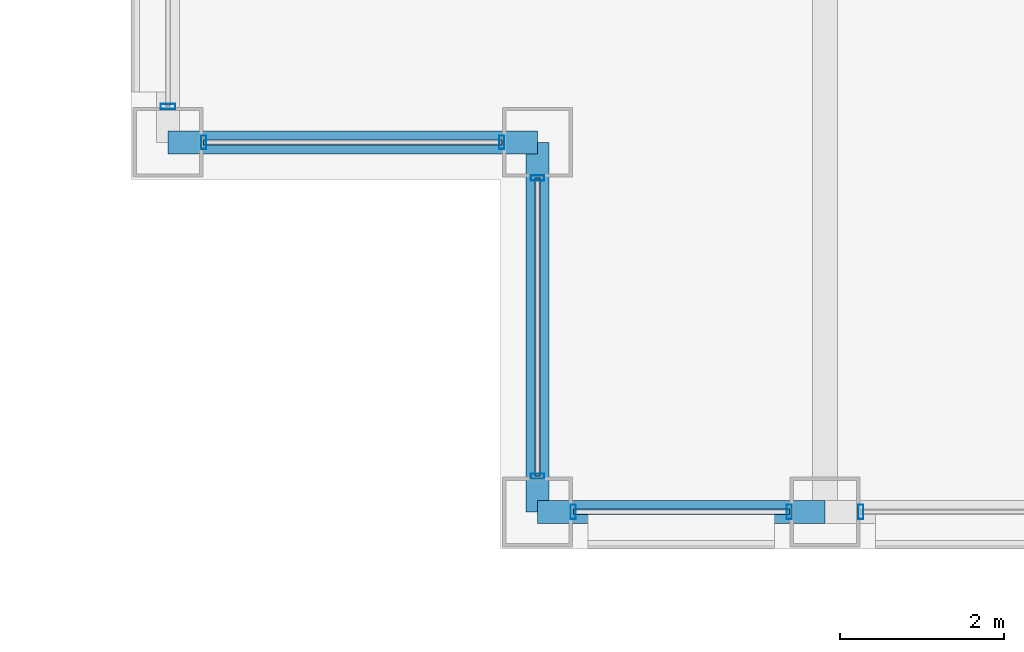
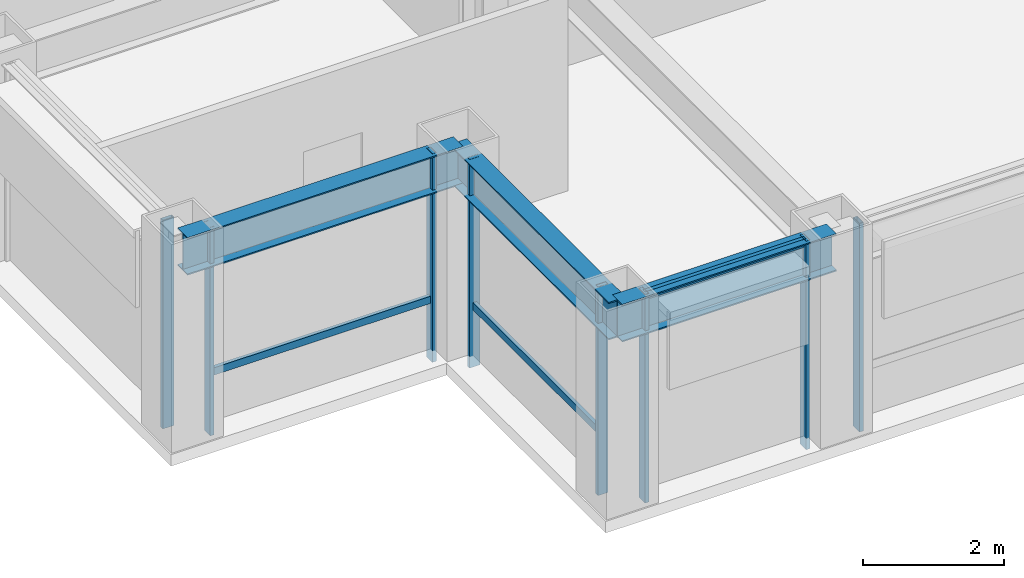
# One storey, part 2 of 34: 11 members, 3 beams, 5 elements without a shape of their own.
"""IFC4 building model written with IfcOpenShell, lengths in metres."""

from ifc_helpers import new_model, si_unit, direction, frame, origin, origin_2d, place, context, subcontext, project, spatial, hollow_rectangle, i_section, extrude, material, layer, layer_set, material_profile, profile_set, type_object, element, aggregate, save


model = new_model("IFC4")

# Units and contexts
model_context = context("Model", 3, precision=1e-05, world=origin(), true_north=direction((0.0, 1.0)))
body_context = subcontext(model_context, "Body", "Model", "MODEL_VIEW")
ifc_project = project(units=[si_unit("LENGTHUNIT", "METRE"), si_unit("AREAUNIT", "SQUARE_METRE"), si_unit("VOLUMEUNIT", "CUBIC_METRE"), si_unit("PLANEANGLEUNIT", "RADIAN"), si_unit("MASSUNIT", "GRAM", prefix="KILO")], contexts=[model_context])

# Site, building, storey
site_placement = place(None, origin())
site = spatial("IfcSite", under=ifc_project, at=site_placement, CompositionType="ELEMENT")
building_placement = place(site_placement, origin())
building = spatial("IfcBuilding", under=site, at=building_placement, Name="Brelmoor Portico Tower", CompositionType="ELEMENT")
storey_placement = place(building_placement, frame((0.0, 0.0, 117.0)))
storey = spatial("IfcBuildingStorey", under=building, at=storey_placement, Name="L30", CompositionType="ELEMENT", Elevation=117.0)

# Beams
ifc_material_1 = material(Name="Steel Q355B", Category="steel")
ifc_material_profile_1 = material_profile(ifc_material_1, i_section(OverallWidth=0.280029296875, OverallDepth=0.64990234375, WebThickness=0.012939453125, FlangeThickness=0.02197265625, at=origin_2d()), Name="HN 650x280x13x22")
ifc_profile_set_1 = profile_set([ifc_material_profile_1], Name="Steel Q355B")
beam_type = type_object("IfcBeamType", Name="BM-SP-650", PredefinedType="SPANDREL", material=ifc_profile_set_1)
beam_placement = place(storey_placement, frame((-18.050048828125, -19.550048828125, 3.074951171875), z_axis=(1.0, 0.0, 0.0), x_axis=(0.0, 1.0, 0.0)))
element("IfcBeam", 1, at=beam_placement, inside=storey, type_object=beam_type, Name="L30 Perimeter Spandrel Beam SP-01", PredefinedType="SPANDREL", context=body_context, shape_type="SweptSolid", body=[
    extrude(i_section(OverallWidth=0.280029296875, OverallDepth=0.64990234375, WebThickness=0.012939453125, FlangeThickness=0.02197265625, at=origin_2d()), origin(), (0.0, 0.0, 1.0), 3.5),
])
for number, where, z_axis, x_axis, name in (
    (2, (-22.550048828125, -15.050048828125, 3.074951171875), (1.0, 0.0, 0.0), (0.0, 1.0, 0.0), "L30 Perimeter Spandrel Beam SP-06"),
    (3, (-18.050048828125, -19.550048828125, 3.074951171875), (0.0, 1.0, 0.0), (-1.0, 0.0, 0.0), "L30 Perimeter Spandrel Beam SP-18"),
):
    element("IfcBeam", number, at=place(storey_placement, frame(where, z_axis=z_axis, x_axis=x_axis)), inside=storey, type_object=beam_type, Name=name, PredefinedType="SPANDREL", context=body_context, shape_type="SweptSolid", body=[
        extrude(i_section(OverallWidth=0.280029296875, OverallDepth=0.64990234375, WebThickness=0.012939453125, FlangeThickness=0.02197265625, at=origin_2d()), origin(), (0.0, 0.0, 1.0), 4.5),
    ])

# Curtain wall, members
ifc_material_2 = material(Name="Anodised Aluminium Alloy 6063-T6", Category="aluminium")
ifc_layer_1 = layer(ifc_material_2, 0.179931640625)
ifc_layer_set_1 = layer_set([ifc_layer_1], Name="Anodised Aluminium Alloy 6063-T6")
curtain_wall_type_1 = type_object("IfcCurtainWallType", Name="CW-NOTCH-CHAMFER", PredefinedType="NOTDEFINED", material=ifc_layer_set_1)
curtain_wall_1_placement = place(storey_placement, origin())
curtain_wall_1 = element("IfcCurtainWall", 4, at=curtain_wall_1_placement, inside=storey, type_object=curtain_wall_type_1, Name="L30 Curtain Wall CWN-L30-SWH", PredefinedType="NOTDEFINED")
ifc_material_profile_2 = material_profile(ifc_material_2, hollow_rectangle(XDim=0.06494140625, YDim=0.1650390625, WallThickness=0.00390625, at=origin_2d()), Name="ALU MULLION 65x165")
ifc_profile_set_2 = profile_set([ifc_material_profile_2], Name="Anodised Aluminium Alloy 6063-T6")
member_type_1 = type_object("IfcMemberType", Name="MB-CW-MULL-165", PredefinedType="MULLION", material=ifc_profile_set_2)
member_1_placement = place(storey_placement, frame((-22.114990234375, -15.050048828125, -0.199951171875), z_axis=(0.0, 0.0, 1.0), x_axis=(1.0, 0.0, 0.0)))
member_1 = element("IfcMember", 5, at=member_1_placement, type_object=member_type_1, Name="CWN-L30-SWH Mullion 00", PredefinedType="MULLION", context=body_context, shape_type="SweptSolid", body=[
    extrude(hollow_rectangle(XDim=0.06494140625, YDim=0.1650390625, WallThickness=0.00390625, at=origin_2d()), origin(), (0.0, 0.0, 1.0), 3.599853515625),
])
member_2_placement = place(storey_placement, frame((-18.485107421875, -15.050048828125, -0.199951171875), z_axis=(0.0, 0.0, 1.0), x_axis=(1.0, 0.0, 0.0)))
member_2 = element("IfcMember", 6, at=member_2_placement, type_object=member_type_1, Name="CWN-L30-SWH Mullion 01", PredefinedType="MULLION", context=body_context, shape_type="SweptSolid", body=[
    extrude(hollow_rectangle(XDim=0.06494140625, YDim=0.1650390625, WallThickness=0.00390625, at=origin_2d()), origin(), (0.0, 0.0, 1.0), 3.599853515625),
])

curtain_wall_2_placement = place(storey_placement, origin())
curtain_wall_2 = element("IfcCurtainWall", 7, at=curtain_wall_2_placement, inside=storey, type_object=curtain_wall_type_1, Name="L30 Curtain Wall CWN-L30-SWV", PredefinedType="NOTDEFINED")
member_3_placement = place(storey_placement, frame((-18.050048828125, -19.114990234375, -0.199951171875), z_axis=(0.0, 0.0, 1.0), x_axis=(0.0, 1.0, 0.0)))
member_3 = element("IfcMember", 8, at=member_3_placement, type_object=member_type_1, Name="CWN-L30-SWV Mullion 00", PredefinedType="MULLION", context=body_context, shape_type="SweptSolid", body=[
    extrude(hollow_rectangle(XDim=0.06494140625, YDim=0.1650390625, WallThickness=0.00390625, at=origin_2d()), origin(), (0.0, 0.0, 1.0), 3.599853515625),
])
member_4_placement = place(storey_placement, frame((-18.050048828125, -15.485107421875, -0.199951171875), z_axis=(0.0, 0.0, 1.0), x_axis=(0.0, 1.0, 0.0)))
member_4 = element("IfcMember", 9, at=member_4_placement, type_object=member_type_1, Name="CWN-L30-SWV Mullion 01", PredefinedType="MULLION", context=body_context, shape_type="SweptSolid", body=[
    extrude(hollow_rectangle(XDim=0.06494140625, YDim=0.1650390625, WallThickness=0.00390625, at=origin_2d()), origin(), (0.0, 0.0, 1.0), 3.599853515625),
])

ifc_layer_2 = layer(ifc_material_2, 0.179931640625)
ifc_layer_set_2 = layer_set([ifc_layer_2], Name="Anodised Aluminium Alloy 6063-T6")
curtain_wall_type_2 = type_object("IfcCurtainWallType", Name="CW-TOWER-Z2-XB", PredefinedType="NOTDEFINED", material=ifc_layer_set_2)
curtain_wall_3_placement = place(storey_placement, origin())
curtain_wall_3 = element("IfcCurtainWall", 10, at=curtain_wall_3_placement, inside=storey, type_object=curtain_wall_type_2, Name="L30 Curtain Wall CW-L30-01-1", PredefinedType="NOTDEFINED")
ifc_material_profile_3 = material_profile(ifc_material_2, hollow_rectangle(XDim=0.06494140625, YDim=0.179931640625, WallThickness=0.00390625, at=origin_2d()), Name="ALU MULLION 65x180")
ifc_profile_set_3 = profile_set([ifc_material_profile_3], Name="Anodised Aluminium Alloy 6063-T6")
member_type_2 = type_object("IfcMemberType", Name="MB-CW-MULL-180", PredefinedType="MULLION", material=ifc_profile_set_3)
member_5_placement = place(storey_placement, frame((-17.614990234375, -19.550048828125, -0.199951171875), z_axis=(0.0, 0.0, 1.0), x_axis=(1.0, 0.0, 0.0)))
member_5 = element("IfcMember", 11, at=member_5_placement, type_object=member_type_2, Name="CW-L30-01-1 Mullion 00", PredefinedType="MULLION", context=body_context, shape_type="SweptSolid", body=[
    extrude(hollow_rectangle(XDim=0.06494140625, YDim=0.179931640625, WallThickness=0.00390625, at=origin_2d()), origin(), (0.0, 0.0, 1.0), 3.599853515625),
])
member_6_placement = place(storey_placement, frame((-14.985107421875, -19.550048828125, -0.199951171875), z_axis=(0.0, 0.0, 1.0), x_axis=(1.0, 0.0, 0.0)))
member_6 = element("IfcMember", 12, at=member_6_placement, type_object=member_type_2, Name="CW-L30-01-1 Mullion 01", PredefinedType="MULLION", context=body_context, shape_type="SweptSolid", body=[
    extrude(hollow_rectangle(XDim=0.06494140625, YDim=0.179931640625, WallThickness=0.00390625, at=origin_2d()), origin(), (0.0, 0.0, 1.0), 3.599853515625),
])

# Curtain wall, member
ifc_layer_3 = layer(ifc_material_2, 0.179931640625)
ifc_layer_set_3 = layer_set([ifc_layer_3], Name="Anodised Aluminium Alloy 6063-T6")
curtain_wall_type_3 = type_object("IfcCurtainWallType", Name="CW-TOWER-Z2", PredefinedType="NOTDEFINED", material=ifc_layer_set_3)
curtain_wall_4_placement = place(storey_placement, origin())
curtain_wall_4 = element("IfcCurtainWall", 13, at=curtain_wall_4_placement, inside=storey, type_object=curtain_wall_type_3, Name="L30 Curtain Wall CW-L30-01-2", PredefinedType="NOTDEFINED")
member_7_placement = place(storey_placement, frame((-14.114990234375, -19.550048828125, -0.199951171875), z_axis=(0.0, 0.0, 1.0), x_axis=(1.0, 0.0, 0.0)))
member_7 = element("IfcMember", 14, at=member_7_placement, type_object=member_type_2, Name="CW-L30-01-2 Mullion 00", PredefinedType="MULLION", context=body_context, shape_type="SweptSolid", body=[
    extrude(hollow_rectangle(XDim=0.06494140625, YDim=0.179931640625, WallThickness=0.00390625, at=origin_2d()), origin(), (0.0, 0.0, 1.0), 3.599853515625),
])
aggregate(curtain_wall_4, [member_7])

curtain_wall_5_placement = place(storey_placement, origin())
curtain_wall_5 = element("IfcCurtainWall", 15, at=curtain_wall_5_placement, inside=storey, type_object=curtain_wall_type_2, Name="L30 Curtain Wall CW-L30-03-1", PredefinedType="NOTDEFINED")
member_8_placement = place(storey_placement, frame((-22.550048828125, -14.614990234375, -0.199951171875), z_axis=(0.0, 0.0, 1.0), x_axis=(0.0, 1.0, 0.0)))
member_8 = element("IfcMember", 16, at=member_8_placement, type_object=member_type_2, Name="CW-L30-03-1 Mullion 00", PredefinedType="MULLION", context=body_context, shape_type="SweptSolid", body=[
    extrude(hollow_rectangle(XDim=0.06494140625, YDim=0.179931640625, WallThickness=0.00390625, at=origin_2d()), origin(), (0.0, 0.0, 1.0), 3.599853515625),
])
aggregate(curtain_wall_5, [member_8])

# Member
ifc_material_profile_4 = material_profile(ifc_material_2, hollow_rectangle(XDim=0.06005859375, YDim=0.125, WallThickness=0.00341796875, at=origin_2d()), Name="ALU TRANSOM 60x125")
ifc_profile_set_4 = profile_set([ifc_material_profile_4], Name="Anodised Aluminium Alloy 6063-T6")
member_type_3 = type_object("IfcMemberType", Name="MB-CW-TRAN-125", PredefinedType="USERDEFINED", material=ifc_profile_set_4)
member_9_placement = place(storey_placement, frame((-22.114990234375, -15.050048828125, 0.85009765625), z_axis=(1.0, 0.0, 0.0), x_axis=(0.0, 1.0, 0.0)))
member_9 = element("IfcMember", 17, at=member_9_placement, type_object=member_type_3, Name="CWN-L30-SWH Transom 1-00", ObjectType="TRANSOM", PredefinedType="USERDEFINED", context=body_context, shape_type="SweptSolid", body=[
    extrude(hollow_rectangle(XDim=0.06005859375, YDim=0.125, WallThickness=0.00341796875, at=origin_2d()), origin(), (0.0, 0.0, 1.0), 3.6298828125),
])

aggregate(curtain_wall_1, [member_1, member_2, member_9])

member_10_placement = place(storey_placement, frame((-18.050048828125, -19.114990234375, 0.85009765625), z_axis=(0.0, 1.0, 0.0), x_axis=(-1.0, 0.0, 0.0)))
member_10 = element("IfcMember", 18, at=member_10_placement, type_object=member_type_3, Name="CWN-L30-SWV Transom 1-00", ObjectType="TRANSOM", PredefinedType="USERDEFINED", context=body_context, shape_type="SweptSolid", body=[
    extrude(hollow_rectangle(XDim=0.06005859375, YDim=0.125, WallThickness=0.00341796875, at=origin_2d()), origin(), (0.0, 0.0, 1.0), 3.6298828125),
])

aggregate(curtain_wall_2, [member_3, member_4, member_10])

ifc_material_profile_5 = material_profile(ifc_material_2, hollow_rectangle(XDim=0.06494140625, YDim=0.139892578125, WallThickness=0.00390625, at=origin_2d()), Name="ALU TRANSOM 65x140")
ifc_profile_set_5 = profile_set([ifc_material_profile_5], Name="Anodised Aluminium Alloy 6063-T6")
member_type_4 = type_object("IfcMemberType", Name="MB-CW-TRAN-140", PredefinedType="USERDEFINED", material=ifc_profile_set_5)
member_11_placement = place(storey_placement, frame((-17.614990234375, -19.550048828125, 3.330078125), z_axis=(1.0, 0.0, 0.0), x_axis=(0.0, 1.0, 0.0)))
member_11 = element("IfcMember", 19, at=member_11_placement, type_object=member_type_4, Name="CW-L30-01-1 Transom 1-00", ObjectType="TRANSOM", PredefinedType="USERDEFINED", context=body_context, shape_type="SweptSolid", body=[
    extrude(hollow_rectangle(XDim=0.06494140625, YDim=0.139892578125, WallThickness=0.00390625, at=origin_2d()), origin(), (0.0, 0.0, 1.0), 2.6298828125),
])

aggregate(curtain_wall_3, [member_5, member_6, member_11])

save(model, "model.ifc")
